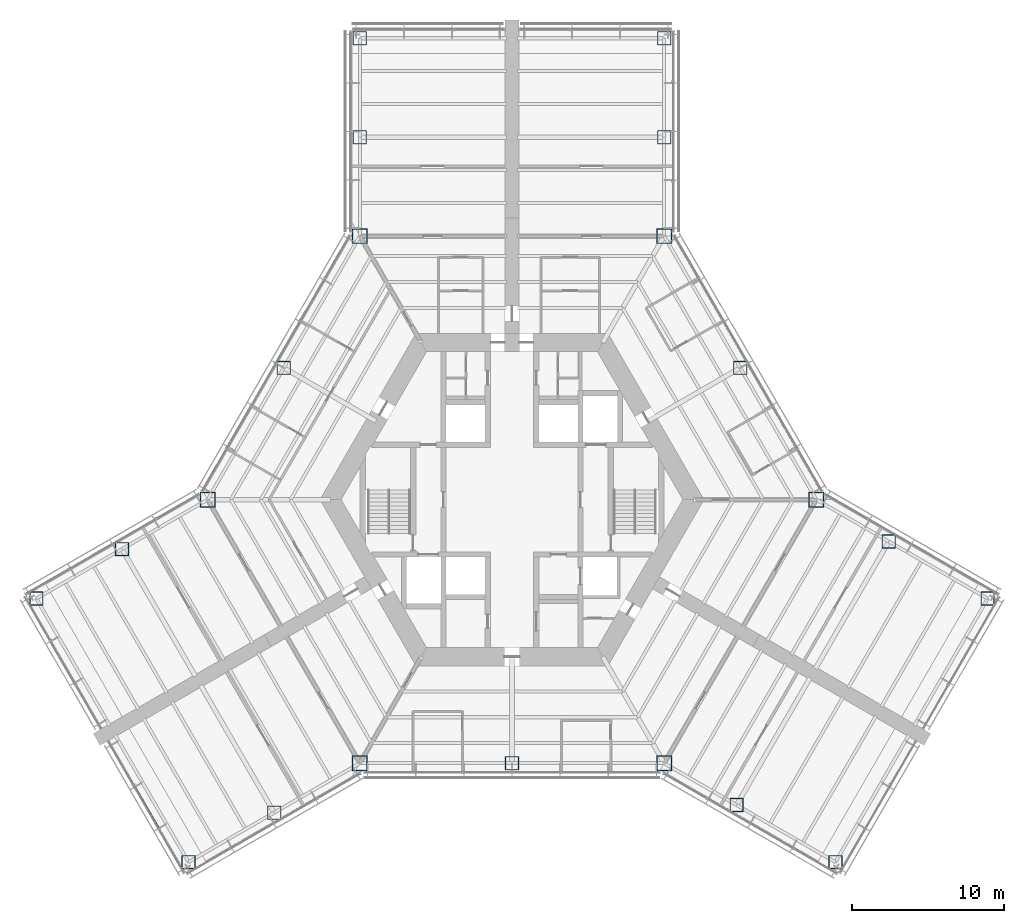
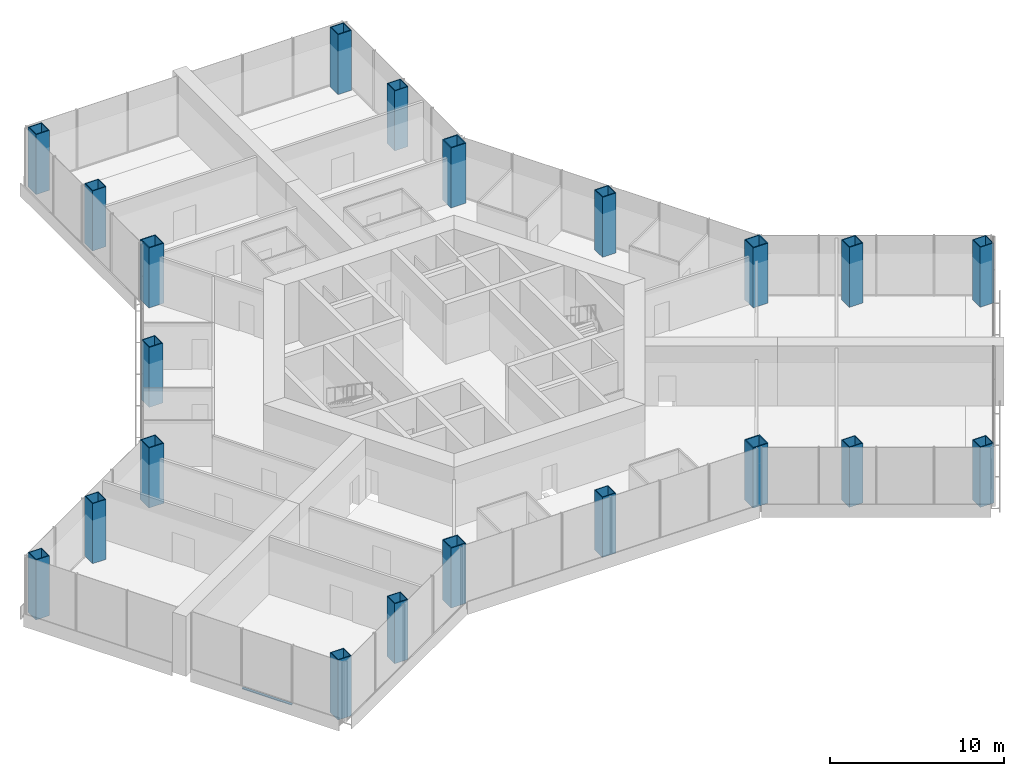
# One storey, part 1 of 17: 21 columns, 1 member, 1 element without a shape of its own.
"""IFC4 building model written with IfcOpenShell, lengths in metres."""

import ifcopenshell
import ifcopenshell.guid

model = None  # the IFC model being written
_history = None  # IfcOwnerHistory: only IFC2X3 demands one
_inside = {}  # id of a spatial element -> (the spatial element, [elements in it])
_under = {}  # id of a project, library or spatial element -> (it, [spatial elements below it])
_declared = {}  # id of a project -> (the project, [libraries it declares])
_typed = {}  # id of a type object -> (the type object, [elements of that type])
_made_of = {}  # id of a material, layer set ... -> (it, [elements and type objects made of it])


def new_model(schema):
    """Start an empty IFC model of exactly this schema.

    Asked for "IFC4X3", IfcOpenShell would pick the latest addendum, in which some entities
    have other attributes; the version numbers below select the first issue.
    IFC2X3 requires an IfcOwnerHistory on every rooted entity: one is made here for all.
    """
    global model, _history
    if schema == "IFC4X3":
        model = ifcopenshell.file(schema_version=(4, 3, 0, 0))
    else:
        model = ifcopenshell.file(schema=schema)
    _inside.clear()
    _under.clear()
    _declared.clear()
    _typed.clear()
    _made_of.clear()
    _history = None
    if model.schema == "IFC2X3":
        org = make("IfcOrganization", Name="unknown")
        user = make(
            "IfcPersonAndOrganization",
            ThePerson=make("IfcPerson", FamilyName="unknown"),
            TheOrganization=org,
        )
        app = make(
            "IfcApplication",
            ApplicationDeveloper=org,
            Version="unknown",
            ApplicationFullName="unknown",
            ApplicationIdentifier="unknown",
        )
        _history = make(
            "IfcOwnerHistory",
            OwningUser=user,
            OwningApplication=app,
            ChangeAction="ADDED",
            CreationDate=0,
        )
    return model


def make(cls, **values):
    """One entity of the class cls with the attributes given. An attribute that is None is left unset."""
    return model.create_entity(
        cls, **{name: value for name, value in values.items() if value is not None}
    )


def rooted(cls, **values):
    """An entity with a GlobalId (a new one), such as an element, a storey or a relation."""
    return make(cls, GlobalId=ifcopenshell.guid.new(), OwnerHistory=_history, **values)


def si_unit(unit_type, name, prefix=None):
    """IfcSIUnit, for example si_unit("LENGTHUNIT", "METRE", prefix="MILLI")."""
    return make("IfcSIUnit", UnitType=unit_type, Prefix=prefix, Name=name)


def assignment(units):
    """IfcUnitAssignment: the units of a project."""
    return None if units is None else make("IfcUnitAssignment", Units=units)


def point(xyz):
    """IfcCartesianPoint."""
    return None if xyz is None else make("IfcCartesianPoint", Coordinates=xyz)


def direction(xyz):
    """IfcDirection."""
    return None if xyz is None else make("IfcDirection", DirectionRatios=xyz)


def frame(location, z_axis=None, x_axis=None):
    """IfcAxis2Placement3D, a coordinate frame: its origin and axes. An axis left out is left unset."""
    return make(
        "IfcAxis2Placement3D",
        Location=point(location),
        Axis=direction(z_axis),
        RefDirection=direction(x_axis),
    )


def frame_2d(location, x_axis=None):
    """IfcAxis2Placement2D, a coordinate frame in the plane: its origin and x axis."""
    return make(
        "IfcAxis2Placement2D", Location=point(location), RefDirection=direction(x_axis)
    )


def origin():
    """The frame at (0, 0, 0) with its axes left unset."""
    return frame((0.0, 0.0, 0.0))


def origin_2d():
    """The frame at (0, 0) in the plane with its x axis left unset."""
    return frame_2d((0.0, 0.0))


def place(relative_to, where):
    """IfcLocalPlacement: puts the frame where relative to a parent placement (None: the world)."""
    return make(
        "IfcLocalPlacement", PlacementRelTo=relative_to, RelativePlacement=where
    )


def context(
    kind, dimensions, precision=None, world=None, true_north=None, identifier=None
):
    """IfcGeometricRepresentationContext, for example the 3D "Model" context."""
    return make(
        "IfcGeometricRepresentationContext",
        ContextIdentifier=identifier,
        ContextType=kind,
        CoordinateSpaceDimension=dimensions,
        Precision=precision,
        WorldCoordinateSystem=world,
        TrueNorth=true_north,
    )


def subcontext(parent, identifier, kind, view, scale=None):
    """IfcGeometricRepresentationSubContext, for example "Body" below "Model"."""
    return make(
        "IfcGeometricRepresentationSubContext",
        ContextIdentifier=identifier,
        ContextType=kind,
        ParentContext=parent,
        TargetScale=scale,
        TargetView=view,
    )


def project(units=None, contexts=None):
    """IfcProject with its units and contexts."""
    return rooted(
        "IfcProject",
        Name="project",
        RepresentationContexts=contexts,
        UnitsInContext=assignment(units),
    )


def spatial(cls, under=None, at=None, **own):
    """A site, building, storey or space (cls), placed at a placement, below another one or the project."""
    s = rooted(cls, ObjectPlacement=at, **own)
    if under is not None:
        _under.setdefault(under.id(), (under, []))[1].append(s)
    return s


def profile(cls, at=None, kind="AREA", **sizes):
    """A parametric profile (cls). Its sizes go by their IFC names, for example OverallWidth=200.0."""
    return make(cls, ProfileType=kind, Position=at, **sizes)


def rectangle(**sizes):
    """IfcRectangleProfileDef."""
    return profile("IfcRectangleProfileDef", **sizes)


def hollow_rectangle(**sizes):
    """IfcRectangleHollowProfileDef."""
    return profile("IfcRectangleHollowProfileDef", **sizes)


def extrude(swept, where, along, depth):
    """IfcExtrudedAreaSolid: the profile swept, set in the frame where, extruded along a direction by depth."""
    return make(
        "IfcExtrudedAreaSolid",
        SweptArea=swept,
        Position=where,
        ExtrudedDirection=direction(along),
        Depth=depth,
    )


def shape(context_of_items, identifier, shape_type, items):
    """IfcShapeRepresentation: the items that make up one representation, for example the "Body"."""
    return make(
        "IfcShapeRepresentation",
        ContextOfItems=context_of_items,
        RepresentationIdentifier=identifier,
        RepresentationType=shape_type,
        Items=items,
    )


def material(Name=None, Category=None):
    """IfcMaterial."""
    return make("IfcMaterial", Name=Name, Category=Category)


def material_profile(
    of_material, cross_section, Name=None, Category=None, Priority=None
):
    """IfcMaterialProfile: a cross section and its material."""
    return make(
        "IfcMaterialProfile",
        Name=Name,
        Material=of_material,
        Profile=cross_section,
        Priority=Priority,
        Category=Category,
    )


def profile_set(profiles, Name=None, composite=None):
    """IfcMaterialProfileSet."""
    return make(
        "IfcMaterialProfileSet",
        Name=Name,
        MaterialProfiles=profiles,
        CompositeProfile=composite,
    )


def made_of(thing, what):
    """Note that an element or type object is made of a material, layer set ...; save() writes the relation."""
    if what is not None:
        _made_of.setdefault(what.id(), (what, []))[1].append(thing)
    return thing


def type_object(cls, material=None, **own):
    """A type object (cls), such as IfcWallType, which elements share."""
    return made_of(rooted(cls, **own), material)


def element(
    cls,
    number,
    at=None,
    inside=None,
    cuts=None,
    type_object=None,
    material=None,
    context=None,
    identifier="Body",
    shape_type=None,
    held_by="IfcProductDefinitionShape",
    body=None,
    shapes=None,
    **own,
):
    """One element of the class cls, such as IfcWall. Its Tag is "e" and its number.

    at: its placement. inside: the storey or other place that contains it. cuts: it is an
    opening in that element (IfcRelVoidsElement). A single representation is given by context,
    identifier, shape_type and body (its items); several are given by shapes. held_by: the class
    of the entity that holds the representations. save() writes the other relations.
    """
    e = rooted(cls, Tag="e%d" % number, ObjectPlacement=at, **own)
    if body is not None:
        shapes = [shape(context, identifier, shape_type, body)]
    if shapes is not None:
        e.Representation = make(held_by, Representations=shapes)
    if inside is not None:
        _inside.setdefault(inside.id(), (inside, []))[1].append(e)
    if cuts is not None:
        rooted(
            "IfcRelVoidsElement", RelatingBuildingElement=cuts, RelatedOpeningElement=e
        )
    if type_object is not None:
        _typed.setdefault(type_object.id(), (type_object, []))[1].append(e)
    return made_of(e, material)


def aggregate(whole, parts):
    """IfcRelAggregates: a whole, such as a stair, and the parts it consists of."""
    return rooted("IfcRelAggregates", RelatingObject=whole, RelatedObjects=parts)


def save(model, path):
    """Write the relations noted so far, then the file.

    IfcRelAggregates (storeys below a building ...), IfcRelContainedInSpatialStructure (elements
    in a storey), IfcRelDefinesByType, IfcRelAssociatesMaterial and IfcRelDeclares: one each for
    every whole, place, type object, material and project.
    """
    for whole, parts in _under.values():
        aggregate(whole, parts)
    for where, things in _inside.values():
        rooted(
            "IfcRelContainedInSpatialStructure",
            RelatedElements=things,
            RelatingStructure=where,
        )
    for kind, things in _typed.values():
        rooted("IfcRelDefinesByType", RelatedObjects=things, RelatingType=kind)
    for what, things in _made_of.values():
        rooted("IfcRelAssociatesMaterial", RelatedObjects=things, RelatingMaterial=what)
    for by, libraries in _declared.values():
        rooted("IfcRelDeclares", RelatingContext=by, RelatedDefinitions=libraries)
    model.write(path)


model = new_model("IFC4")

# Units and contexts
model_context = context("Model", 3, precision=1e-05, world=origin(), true_north=direction((0.0, 1.0)))
body_context = subcontext(model_context, "Body", "Model", "MODEL_VIEW")
ifc_project = project(units=[si_unit("LENGTHUNIT", "METRE"), si_unit("AREAUNIT", "SQUARE_METRE"), si_unit("VOLUMEUNIT", "CUBIC_METRE"), si_unit("PLANEANGLEUNIT", "RADIAN"), si_unit("MASSUNIT", "GRAM", prefix="KILO")], contexts=[model_context])

# Site, building, storey
site_placement = place(None, origin())
site = spatial("IfcSite", under=ifc_project, at=site_placement, CompositionType="ELEMENT")
building_placement = place(site_placement, origin())
building = spatial("IfcBuilding", under=site, at=building_placement, Name="Kasaneha Research Tower", CompositionType="ELEMENT")
storey_placement = place(building_placement, frame((0.0, 0.0, 43.60009765625)))
storey = spatial("IfcBuildingStorey", under=building, at=storey_placement, Name="L11", CompositionType="ELEMENT", Elevation=43.60009765625)

# Columns
ifc_material_1 = material(Name="Steel SN490C", Category="steel")
ifc_material_profile_1 = material_profile(ifc_material_1, hollow_rectangle(XDim=1.0, YDim=1.0, WallThickness=0.06005859375, at=origin_2d()), Name="BOX-1000x1000x60")
ifc_profile_set_1 = profile_set([ifc_material_profile_1], Name="Steel SN490C")
column_type_1 = type_object("IfcColumnType", Name="C1A column BOX-1000x1000x60", PredefinedType="COLUMN", material=ifc_profile_set_1)
for number, where, z_axis, x_axis, name in (
    (1, (20.0, 0.0, 0.0), (0.0, 0.0, 1.0), (1.0, 0.0, 0.0), "Column V0 L11"),
    (2, (10.0, 17.320556640625, 0.0), (0.0, 0.0, 1.0), (1.0, 0.0, 0.0), "Column V1 L11"),
    (3, (-10.0, 17.320556640625, 0.0), (0.0, 0.0, 1.0), (1.0, 0.0, 0.0), "Column V2 L11"),
    (4, (-20.0, 0.0, 0.0), (0.0, 0.0, 1.0), (1.0, 0.0, 0.0), "Column V3 L11"),
    (5, (-10.0, -17.320556640625, 0.0), (0.0, 0.0, 1.0), (1.0, 0.0, 0.0), "Column V4 L11"),
    (6, (10.0, -17.320556640625, 0.0), (0.0, 0.0, 1.0), (1.0, 0.0, 0.0), "Column V5 L11"),
):
    element("IfcColumn", number, at=place(storey_placement, frame(where, z_axis=z_axis, x_axis=x_axis)), inside=storey, type_object=column_type_1, Name=name, PredefinedType="COLUMN", context=body_context, shape_type="SweptSolid", body=[
        extrude(hollow_rectangle(XDim=1.0, YDim=1.0, WallThickness=0.06005859375, at=origin_2d()), origin(), (0.0, 0.0, 1.0), 4.199951171875),
    ])
ifc_material_2 = material(Name="Steel SN490C", Category="steel")
ifc_material_profile_2 = material_profile(ifc_material_2, hollow_rectangle(XDim=0.89990234375, YDim=0.89990234375, WallThickness=0.050048828125, at=origin_2d()), Name="BOX-900x900x50")
ifc_profile_set_2 = profile_set([ifc_material_profile_2], Name="Steel SN490C")
column_type_2 = type_object("IfcColumnType", Name="C1B column BOX-900x900x50", PredefinedType="COLUMN", material=ifc_profile_set_2)
for number, where, z_axis, x_axis, name in (
    (7, (15.0, 8.66015625, 0.0), (0.0, 0.0, 1.0), (1.0, 0.0, 0.0), "Column M030 L11"),
    (8, (-15.0, 8.66015625, 0.0), (0.0, 0.0, 1.0), (1.0, 0.0, 0.0), "Column M150 L11"),
    (9, (0.0, -17.320556640625, 0.0), (0.0, 0.0, 1.0), (1.0, 0.0, 0.0), "Column M270 L11"),
    (10, (10.0, 23.820556640625, 0.0), (0.0, 0.0, 1.0), (1.0, 0.0, 0.0), "Column ASP L11"),
    (11, (10.0, 30.320556640625, 0.0), (0.0, 0.0, 1.0), (1.0, 0.0, 0.0), "Column ATP L11"),
    (12, (-10.0, 23.820556640625, 0.0), (0.0, 0.0, 1.0), (1.0, 0.0, 0.0), "Column ASN L11"),
    (13, (-10.0, 30.320556640625, 0.0), (0.0, 0.0, 1.0), (1.0, 0.0, 0.0), "Column ATN L11"),
    (14, (-25.629150390625, -3.25, 0.0), (0.0, 0.0, 1.0), (1.0, 0.0, 0.0), "Column BSP L11"),
    (15, (-31.25830078125, -6.5, 0.0), (0.0, 0.0, 1.0), (1.0, 0.0, 0.0), "Column BTP L11"),
    (16, (-15.629150390625, -20.570556640625, 0.0), (0.0, 0.0, 1.0), (1.0, 0.0, 0.0), "Column BSN L11"),
    (17, (-21.25830078125, -23.820556640625, 0.0), (0.0, 0.0, 1.0), (1.0, 0.0, 0.0), "Column BTN L11"),
    (18, (14.76318359375, -20.070556640625, 0.0), (0.0, 0.0, 1.0), (1.0, 0.0, 0.0), "Column CSP L11"),
    (19, (21.25830078125, -23.820556640625, 0.0), (0.0, 0.0, 1.0), (1.0, 0.0, 0.0), "Column CTP L11"),
    (20, (24.76318359375, -2.75, 0.0), (0.0, 0.0, 1.0), (1.0, 0.0, 0.0), "Column CSN L11"),
    (21, (31.25830078125, -6.5, 0.0), (0.0, 0.0, 1.0), (1.0, 0.0, 0.0), "Column CTN L11"),
):
    element("IfcColumn", number, at=place(storey_placement, frame(where, z_axis=z_axis, x_axis=x_axis)), inside=storey, type_object=column_type_2, Name=name, PredefinedType="COLUMN", context=body_context, shape_type="SweptSolid", body=[
        extrude(hollow_rectangle(XDim=0.89990234375, YDim=0.89990234375, WallThickness=0.050048828125, at=origin_2d()), origin(), (0.0, 0.0, 1.0), 4.199951171875),
    ])

# Curtain wall, member
ifc_material_3 = material(Name="Glass and aluminium", Category="aluminium")
curtain_wall_type = type_object("IfcCurtainWallType", Name="Dry laboratory curtain wall", PredefinedType="USERDEFINED", material=ifc_material_3)
curtain_wall_placement = place(storey_placement, origin())
curtain_wall = element("IfcCurtainWall", 22, at=curtain_wall_placement, inside=storey, type_object=curtain_wall_type, Name="CW-L2 L11 run 15a", ObjectType="UNITISED CURTAIN WALL", PredefinedType="USERDEFINED")
ifc_material_4 = material(Name="Aluminium 6063-T6", Category="aluminium")
ifc_material_profile_3 = material_profile(ifc_material_4, rectangle(XDim=0.14990234375, YDim=0.06494140625, at=origin_2d()), Name="CW-L2 transom 150x65")
ifc_profile_set_3 = profile_set([ifc_material_profile_3], Name="Aluminium 6063-T6")
member_type = type_object("IfcMemberType", Name="CW-L2 transom", PredefinedType="USERDEFINED", material=ifc_profile_set_3)
member_placement = place(storey_placement, frame((-24.86181640625, -18.779296875, 0.032470703125), z_axis=(0.50000765355, -0.86602098496, 0.0), x_axis=(0.86602098496, 0.50000765355, 0.0)))
member = element("IfcMember", 23, at=member_placement, type_object=member_type, Name="CW-L2 transom 2", ObjectType="TRANSOM", PredefinedType="USERDEFINED", context=body_context, shape_type="SweptSolid", body=[
    extrude(rectangle(XDim=0.14990234375, YDim=0.06494140625, at=origin_2d()), origin(), (0.0, 0.0, 1.0), 3.28515625),
])
aggregate(curtain_wall, [member])

save(model, "model.ifc")
